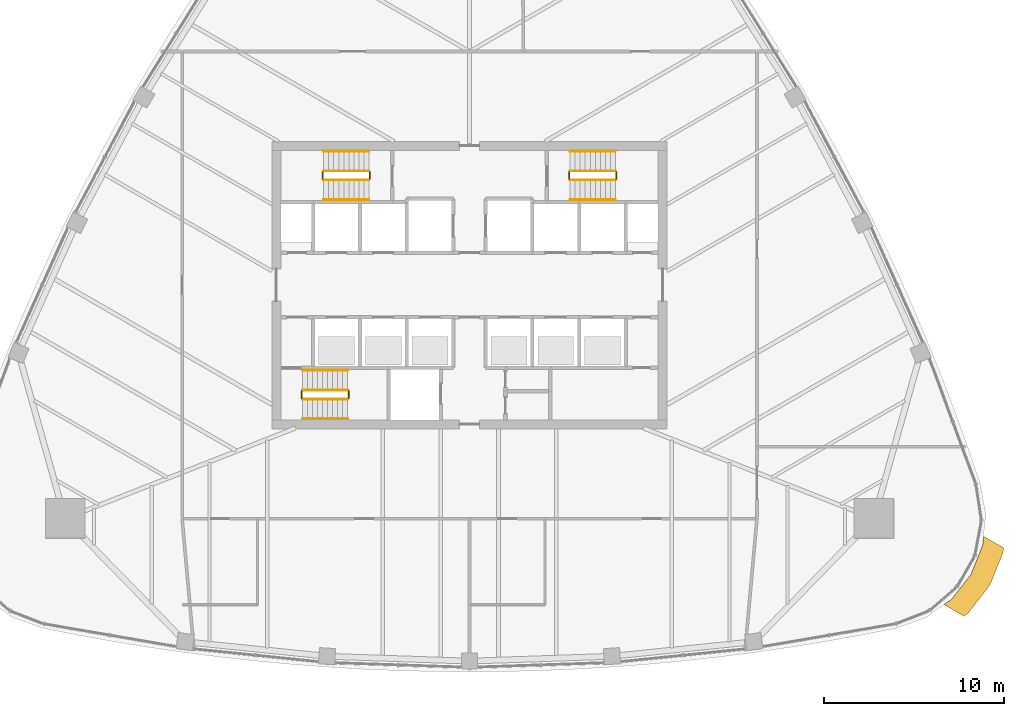
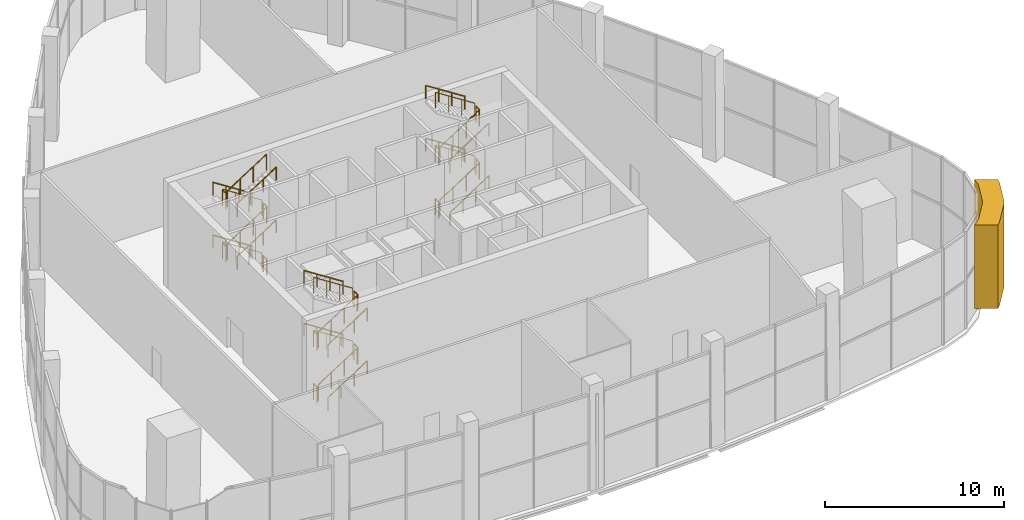
# One storey, part 13 of 15: 36 railings, 1 covering.
"""IFC4 building model written with IfcOpenShell, lengths in metres."""

from ifc_helpers import new_model, si_unit, direction, frame, origin, origin_2d, place, context, subcontext, project, spatial, polyline, circle, outline, extrude, material, layer, layer_set, type_object, element, save


model = new_model("IFC4")

# Units and contexts
model_context = context("Model", 3, precision=1e-05, world=origin(), true_north=direction((0.0, 1.0)))
body_context = subcontext(model_context, "Body", "Model", "MODEL_VIEW")
ifc_project = project(units=[si_unit("LENGTHUNIT", "METRE"), si_unit("AREAUNIT", "SQUARE_METRE"), si_unit("VOLUMEUNIT", "CUBIC_METRE"), si_unit("PLANEANGLEUNIT", "RADIAN"), si_unit("MASSUNIT", "GRAM", prefix="KILO")], contexts=[model_context])

# Site, building, storey
site_placement = place(None, origin())
site = spatial("IfcSite", under=ifc_project, at=site_placement, CompositionType="ELEMENT")
building_placement = place(site_placement, origin())
building = spatial("IfcBuilding", under=site, at=building_placement, Name="Sierra Prisma Convention Tower", CompositionType="ELEMENT")
storey_placement = place(building_placement, frame((0.0, 0.0, 219.800048828125)))
storey = spatial("IfcBuildingStorey", under=building, at=storey_placement, Name="L49", CompositionType="ELEMENT", Elevation=219.800048828125)

# Covering
ifc_material_1 = material(Name="Aluminium composite bronze anodised", Category="aluminium")
ifc_layer = layer(ifc_material_1, 1.199951171875)
ifc_layer_set = layer_set([ifc_layer], Name="Bronze corner pier")
covering_type = type_object("IfcCoveringType", Name="Bronze corner pier", PredefinedType="CLADDING", material=ifc_layer_set)
covering_placement = place(storey_placement, frame((0.0, 0.0, 0.89990234375)))
element("IfcCovering", 1, at=covering_placement, inside=storey, type_object=covering_type, Name="Corner pier SE L49.1", PredefinedType="CLADDING", context=body_context, shape_type="SweptSolid", body=[
    extrude(outline(polyline([(29.02294921875, -16.562255859375), (28.85498046875, -16.853515625), (27.779541015625, -18.227294921875), (27.55126953125, -18.447021484375), (26.414794921875, -17.791015625), (26.834716796875, -17.487548828125), (27.909912109375, -16.11376953125), (28.56201171875, -14.49560546875), (28.61474609375, -13.98046875), (29.751220703125, -14.636474609375), (29.675048828125, -14.944091796875), (29.02294921875, -16.562255859375)])), origin(), (0.0, 0.0, 1.0), 5.699951171875),
])

# Railings
ifc_material_2 = material(Name="Stainless steel", Category="steel")
railing_type_1 = type_object("IfcRailingType", Name="Exit stair handrail", PredefinedType="HANDRAIL", material=ifc_material_2)
railing_1_placement = place(storey_placement, frame((-9.300048828125, -7.449951171875, 0.179931640625)))
element("IfcRailing", 2, at=railing_1_placement, inside=storey, type_object=railing_type_1, Name="L49 S1 stair handrail 1", PredefinedType="HANDRAIL", context=body_context, shape_type="SweptSolid", body=[
    extrude(circle(Radius=0.02392578125, at=origin_2d()), frame((0.0, 0.0, 0.8759765625), z_axis=(0.841162588446, 0.0, 0.540782303519), x_axis=(0.0, 1.0, 0.0)), (0.0, 0.0, 1.0), 2.995849609375),
    extrude(circle(Radius=0.02099609375, at=origin_2d()), origin(), (0.0, 0.0, 1.0), 0.851806640625),
    extrude(circle(Radius=0.02099609375, at=origin_2d()), frame((0.840087890625, 0.0, 0.5400390625)), (0.0, 0.0, 1.0), 0.851806640625),
    extrude(circle(Radius=0.02099609375, at=origin_2d()), frame((1.679931640625, 0.0, 1.080078125)), (0.0, 0.0, 1.0), 0.851806640625),
    extrude(circle(Radius=0.02099609375, at=origin_2d()), frame((2.52001953125, 0.0, 1.6201171875)), (0.0, 0.0, 1.0), 0.851806640625),
])
railing_2_placement = place(storey_placement, frame((-6.780029296875, -4.75, 1.97998046875)))
element("IfcRailing", 3, at=railing_2_placement, inside=storey, type_object=railing_type_1, Name="L49 S1 stair handrail 2", PredefinedType="HANDRAIL", context=body_context, shape_type="SweptSolid", body=[
    extrude(circle(Radius=0.02392578125, at=origin_2d()), frame((0.0, 0.0, 0.8759765625), z_axis=(-0.841199657755, 0.0, 0.540724639528), x_axis=(0.0, -1.0, 0.0)), (0.0, 0.0, 1.0), 2.995849609375),
    extrude(circle(Radius=0.02099609375, at=origin_2d()), origin(), (0.0, 0.0, 1.0), 0.851806640625),
    extrude(circle(Radius=0.02099609375, at=origin_2d()), frame((-0.840087890625, 0.0, 0.5400390625)), (0.0, 0.0, 1.0), 0.851806640625),
    extrude(circle(Radius=0.02099609375, at=origin_2d()), frame((-1.679931640625, 0.0, 1.079833984375)), (0.0, 0.0, 1.0), 0.851806640625),
    extrude(circle(Radius=0.02099609375, at=origin_2d()), frame((-2.52001953125, 0.0, 1.619873046875)), (0.0, 0.0, 1.0), 0.851806640625),
])
railing_3_placement = place(storey_placement, frame((-9.300048828125, -7.449951171875, 3.780029296875)))
element("IfcRailing", 4, at=railing_3_placement, inside=storey, type_object=railing_type_1, Name="L49 S1 stair handrail 3", PredefinedType="HANDRAIL", context=body_context, shape_type="SweptSolid", body=[
    extrude(circle(Radius=0.02392578125, at=origin_2d()), frame((0.0, 0.0, 0.8759765625), z_axis=(0.841199657755, 0.0, 0.540724639528), x_axis=(0.0, 1.0, 0.0)), (0.0, 0.0, 1.0), 2.995849609375),
    extrude(circle(Radius=0.02099609375, at=origin_2d()), origin(), (0.0, 0.0, 1.0), 0.851806640625),
    extrude(circle(Radius=0.02099609375, at=origin_2d()), frame((0.840087890625, 0.0, 0.5400390625)), (0.0, 0.0, 1.0), 0.851806640625),
    extrude(circle(Radius=0.02099609375, at=origin_2d()), frame((1.679931640625, 0.0, 1.079833984375)), (0.0, 0.0, 1.0), 0.851806640625),
    extrude(circle(Radius=0.02099609375, at=origin_2d()), frame((2.52001953125, 0.0, 1.619873046875)), (0.0, 0.0, 1.0), 0.851806640625),
])
for number, where, name in (
    (5, (-6.780029296875, -4.75, 5.579833984375), "L49 S1 stair handrail 4"),
    (6, (-5.60009765625, 7.449951171875, 0.179931640625), "L49 S3 stair handrail 1"),
):
    element("IfcRailing", number, at=place(storey_placement, frame(where)), inside=storey, type_object=railing_type_1, Name=name, PredefinedType="HANDRAIL", context=body_context, shape_type="SweptSolid", body=[
        extrude(circle(Radius=0.02392578125, at=origin_2d()), frame((0.0, 0.0, 0.8759765625), z_axis=(-0.841162588446, 0.0, 0.540782303519), x_axis=(0.0, -1.0, 0.0)), (0.0, 0.0, 1.0), 2.995849609375),
        extrude(circle(Radius=0.02099609375, at=origin_2d()), origin(), (0.0, 0.0, 1.0), 0.851806640625),
        extrude(circle(Radius=0.02099609375, at=origin_2d()), frame((-0.840087890625, 0.0, 0.5400390625)), (0.0, 0.0, 1.0), 0.851806640625),
        extrude(circle(Radius=0.02099609375, at=origin_2d()), frame((-1.679931640625, 0.0, 1.080078125)), (0.0, 0.0, 1.0), 0.851806640625),
        extrude(circle(Radius=0.02099609375, at=origin_2d()), frame((-2.52001953125, 0.0, 1.6201171875)), (0.0, 0.0, 1.0), 0.851806640625),
    ])
railing_4_placement = place(storey_placement, frame((-8.1201171875, 4.75, 1.97998046875)))
element("IfcRailing", 7, at=railing_4_placement, inside=storey, type_object=railing_type_1, Name="L49 S3 stair handrail 2", PredefinedType="HANDRAIL", context=body_context, shape_type="SweptSolid", body=[
    extrude(circle(Radius=0.02392578125, at=origin_2d()), frame((0.0, 0.0, 0.8759765625), z_axis=(0.841199657755, 0.0, 0.540724639528), x_axis=(0.0, 1.0, 0.0)), (0.0, 0.0, 1.0), 2.995849609375),
    extrude(circle(Radius=0.02099609375, at=origin_2d()), origin(), (0.0, 0.0, 1.0), 0.851806640625),
    extrude(circle(Radius=0.02099609375, at=origin_2d()), frame((0.840087890625, 0.0, 0.5400390625)), (0.0, 0.0, 1.0), 0.851806640625),
    extrude(circle(Radius=0.02099609375, at=origin_2d()), frame((1.679931640625, 0.0, 1.079833984375)), (0.0, 0.0, 1.0), 0.851806640625),
    extrude(circle(Radius=0.02099609375, at=origin_2d()), frame((2.52001953125, 0.0, 1.619873046875)), (0.0, 0.0, 1.0), 0.851806640625),
])
railing_5_placement = place(storey_placement, frame((-5.60009765625, 7.449951171875, 3.780029296875)))
element("IfcRailing", 8, at=railing_5_placement, inside=storey, type_object=railing_type_1, Name="L49 S3 stair handrail 3", PredefinedType="HANDRAIL", context=body_context, shape_type="SweptSolid", body=[
    extrude(circle(Radius=0.02392578125, at=origin_2d()), frame((0.0, 0.0, 0.8759765625), z_axis=(-0.841199657755, 0.0, 0.540724639528), x_axis=(0.0, -1.0, 0.0)), (0.0, 0.0, 1.0), 2.995849609375),
    extrude(circle(Radius=0.02099609375, at=origin_2d()), origin(), (0.0, 0.0, 1.0), 0.851806640625),
    extrude(circle(Radius=0.02099609375, at=origin_2d()), frame((-0.840087890625, 0.0, 0.5400390625)), (0.0, 0.0, 1.0), 0.851806640625),
    extrude(circle(Radius=0.02099609375, at=origin_2d()), frame((-1.679931640625, 0.0, 1.079833984375)), (0.0, 0.0, 1.0), 0.851806640625),
    extrude(circle(Radius=0.02099609375, at=origin_2d()), frame((-2.52001953125, 0.0, 1.619873046875)), (0.0, 0.0, 1.0), 0.851806640625),
])
for number, where, name in (
    (9, (-8.1201171875, 4.75, 5.579833984375), "L49 S3 stair handrail 4"),
    (10, (5.60009765625, 4.75, 0.179931640625), "L49 S4 stair handrail 1"),
):
    element("IfcRailing", number, at=place(storey_placement, frame(where)), inside=storey, type_object=railing_type_1, Name=name, PredefinedType="HANDRAIL", context=body_context, shape_type="SweptSolid", body=[
        extrude(circle(Radius=0.02392578125, at=origin_2d()), frame((0.0, 0.0, 0.8759765625), z_axis=(0.841162588446, 0.0, 0.540782303519), x_axis=(0.0, 1.0, 0.0)), (0.0, 0.0, 1.0), 2.995849609375),
        extrude(circle(Radius=0.02099609375, at=origin_2d()), origin(), (0.0, 0.0, 1.0), 0.851806640625),
        extrude(circle(Radius=0.02099609375, at=origin_2d()), frame((0.840087890625, 0.0, 0.5400390625)), (0.0, 0.0, 1.0), 0.851806640625),
        extrude(circle(Radius=0.02099609375, at=origin_2d()), frame((1.679931640625, 0.0, 1.080078125)), (0.0, 0.0, 1.0), 0.851806640625),
        extrude(circle(Radius=0.02099609375, at=origin_2d()), frame((2.52001953125, 0.0, 1.6201171875)), (0.0, 0.0, 1.0), 0.851806640625),
    ])
railing_6_placement = place(storey_placement, frame((8.1201171875, 7.449951171875, 1.97998046875)))
element("IfcRailing", 11, at=railing_6_placement, inside=storey, type_object=railing_type_1, Name="L49 S4 stair handrail 2", PredefinedType="HANDRAIL", context=body_context, shape_type="SweptSolid", body=[
    extrude(circle(Radius=0.02392578125, at=origin_2d()), frame((0.0, 0.0, 0.8759765625), z_axis=(-0.841199657755, 0.0, 0.540724639528), x_axis=(0.0, -1.0, 0.0)), (0.0, 0.0, 1.0), 2.995849609375),
    extrude(circle(Radius=0.02099609375, at=origin_2d()), origin(), (0.0, 0.0, 1.0), 0.851806640625),
    extrude(circle(Radius=0.02099609375, at=origin_2d()), frame((-0.840087890625, 0.0, 0.5400390625)), (0.0, 0.0, 1.0), 0.851806640625),
    extrude(circle(Radius=0.02099609375, at=origin_2d()), frame((-1.679931640625, 0.0, 1.079833984375)), (0.0, 0.0, 1.0), 0.851806640625),
    extrude(circle(Radius=0.02099609375, at=origin_2d()), frame((-2.52001953125, 0.0, 1.619873046875)), (0.0, 0.0, 1.0), 0.851806640625),
])
railing_7_placement = place(storey_placement, frame((5.60009765625, 4.75, 3.780029296875)))
element("IfcRailing", 12, at=railing_7_placement, inside=storey, type_object=railing_type_1, Name="L49 S4 stair handrail 3", PredefinedType="HANDRAIL", context=body_context, shape_type="SweptSolid", body=[
    extrude(circle(Radius=0.02392578125, at=origin_2d()), frame((0.0, 0.0, 0.8759765625), z_axis=(0.841199657755, 0.0, 0.540724639528), x_axis=(0.0, 1.0, 0.0)), (0.0, 0.0, 1.0), 2.995849609375),
    extrude(circle(Radius=0.02099609375, at=origin_2d()), origin(), (0.0, 0.0, 1.0), 0.851806640625),
    extrude(circle(Radius=0.02099609375, at=origin_2d()), frame((0.840087890625, 0.0, 0.5400390625)), (0.0, 0.0, 1.0), 0.851806640625),
    extrude(circle(Radius=0.02099609375, at=origin_2d()), frame((1.679931640625, 0.0, 1.079833984375)), (0.0, 0.0, 1.0), 0.851806640625),
    extrude(circle(Radius=0.02099609375, at=origin_2d()), frame((2.52001953125, 0.0, 1.619873046875)), (0.0, 0.0, 1.0), 0.851806640625),
])
railing_8_placement = place(storey_placement, frame((8.1201171875, 7.449951171875, 5.579833984375)))
element("IfcRailing", 13, at=railing_8_placement, inside=storey, type_object=railing_type_1, Name="L49 S4 stair handrail 4", PredefinedType="HANDRAIL", context=body_context, shape_type="SweptSolid", body=[
    extrude(circle(Radius=0.02392578125, at=origin_2d()), frame((0.0, 0.0, 0.8759765625), z_axis=(-0.841162588446, 0.0, 0.540782303519), x_axis=(0.0, -1.0, 0.0)), (0.0, 0.0, 1.0), 2.995849609375),
    extrude(circle(Radius=0.02099609375, at=origin_2d()), origin(), (0.0, 0.0, 1.0), 0.851806640625),
    extrude(circle(Radius=0.02099609375, at=origin_2d()), frame((-0.840087890625, 0.0, 0.5400390625)), (0.0, 0.0, 1.0), 0.851806640625),
    extrude(circle(Radius=0.02099609375, at=origin_2d()), frame((-1.679931640625, 0.0, 1.080078125)), (0.0, 0.0, 1.0), 0.851806640625),
    extrude(circle(Radius=0.02099609375, at=origin_2d()), frame((-2.52001953125, 0.0, 1.6201171875)), (0.0, 0.0, 1.0), 0.851806640625),
])
ifc_material_3 = material(Name="Stainless steel", Category="steel")
railing_type_2 = type_object("IfcRailingType", Name="Stair guard 1100", PredefinedType="GUARDRAIL", material=ifc_material_3)
railing_9_placement = place(storey_placement, frame((-9.300048828125, -6.35009765625, 0.179931640625)))
element("IfcRailing", 14, at=railing_9_placement, inside=storey, type_object=railing_type_2, Name="L49 S1 stair guard 1", PredefinedType="GUARDRAIL", context=body_context, shape_type="SweptSolid", body=[
    extrude(circle(Radius=0.02392578125, at=origin_2d()), frame((0.0, 0.0, 1.076171875), z_axis=(0.841162588446, 0.0, 0.540782303519), x_axis=(0.0, 1.0, 0.0)), (0.0, 0.0, 1.0), 2.995849609375),
    extrude(circle(Radius=0.02099609375, at=origin_2d()), origin(), (0.0, 0.0, 1.0), 1.052001953125),
    extrude(circle(Radius=0.02099609375, at=origin_2d()), frame((0.840087890625, 0.0, 0.5400390625)), (0.0, 0.0, 1.0), 1.052001953125),
    extrude(circle(Radius=0.02099609375, at=origin_2d()), frame((1.679931640625, 0.0, 1.080078125)), (0.0, 0.0, 1.0), 1.052001953125),
    extrude(circle(Radius=0.02099609375, at=origin_2d()), frame((2.52001953125, 0.0, 1.6201171875)), (0.0, 0.0, 1.0), 1.052001953125),
])
railing_10_placement = place(storey_placement, frame((-6.72998046875, -6.300048828125, 1.800048828125)))
element("IfcRailing", 15, at=railing_10_placement, inside=storey, type_object=railing_type_2, Name="L49 S1 stair guard 2", PredefinedType="GUARDRAIL", context=body_context, shape_type="SweptSolid", body=[
    extrude(circle(Radius=0.02392578125, at=origin_2d()), frame((0.0, 0.0, 1.076171875), z_axis=(0.0, 1.0, 0.0), x_axis=(-1.0, 0.0, 0.0)), (0.0, 0.0, 1.0), 0.400146484375),
    extrude(circle(Radius=0.02099609375, at=origin_2d()), origin(), (0.0, 0.0, 1.0), 1.052001953125),
    extrude(circle(Radius=0.02099609375, at=origin_2d()), frame((0.0, 0.400146484375, 0.0)), (0.0, 0.0, 1.0), 1.052001953125),
])
railing_11_placement = place(storey_placement, frame((-6.780029296875, -5.85009765625, 1.97998046875)))
element("IfcRailing", 16, at=railing_11_placement, inside=storey, type_object=railing_type_2, Name="L49 S1 stair guard 3", PredefinedType="GUARDRAIL", context=body_context, shape_type="SweptSolid", body=[
    extrude(circle(Radius=0.02392578125, at=origin_2d()), frame((0.0, 0.0, 1.076171875), z_axis=(-0.841199657755, 0.0, 0.540724639528), x_axis=(0.0, -1.0, 0.0)), (0.0, 0.0, 1.0), 2.995849609375),
    extrude(circle(Radius=0.02099609375, at=origin_2d()), origin(), (0.0, 0.0, 1.0), 1.052001953125),
    extrude(circle(Radius=0.02099609375, at=origin_2d()), frame((-0.840087890625, 0.0, 0.5400390625)), (0.0, 0.0, 1.0), 1.052001953125),
    extrude(circle(Radius=0.02099609375, at=origin_2d()), frame((-1.679931640625, 0.0, 1.079833984375)), (0.0, 0.0, 1.0), 1.052001953125),
    extrude(circle(Radius=0.02099609375, at=origin_2d()), frame((-2.52001953125, 0.0, 1.619873046875)), (0.0, 0.0, 1.0), 1.052001953125),
])
railing_12_placement = place(storey_placement, frame((-9.35009765625, -6.300048828125, 3.599853515625)))
element("IfcRailing", 17, at=railing_12_placement, inside=storey, type_object=railing_type_2, Name="L49 S1 stair guard 4", PredefinedType="GUARDRAIL", context=body_context, shape_type="SweptSolid", body=[
    extrude(circle(Radius=0.02392578125, at=origin_2d()), frame((0.0, 0.0, 1.076171875), z_axis=(0.0, 1.0, 0.0), x_axis=(-1.0, 0.0, 0.0)), (0.0, 0.0, 1.0), 0.400146484375),
    extrude(circle(Radius=0.02099609375, at=origin_2d()), origin(), (0.0, 0.0, 1.0), 1.052001953125),
    extrude(circle(Radius=0.02099609375, at=origin_2d()), frame((0.0, 0.400146484375, 0.0)), (0.0, 0.0, 1.0), 1.052001953125),
])
railing_13_placement = place(storey_placement, frame((-9.300048828125, -6.35009765625, 3.780029296875)))
element("IfcRailing", 18, at=railing_13_placement, inside=storey, type_object=railing_type_2, Name="L49 S1 stair guard 5", PredefinedType="GUARDRAIL", context=body_context, shape_type="SweptSolid", body=[
    extrude(circle(Radius=0.02392578125, at=origin_2d()), frame((0.0, 0.0, 1.076171875), z_axis=(0.841199657755, 0.0, 0.540724639528), x_axis=(0.0, 1.0, 0.0)), (0.0, 0.0, 1.0), 2.995849609375),
    extrude(circle(Radius=0.02099609375, at=origin_2d()), origin(), (0.0, 0.0, 1.0), 1.052001953125),
    extrude(circle(Radius=0.02099609375, at=origin_2d()), frame((0.840087890625, 0.0, 0.5400390625)), (0.0, 0.0, 1.0), 1.052001953125),
    extrude(circle(Radius=0.02099609375, at=origin_2d()), frame((1.679931640625, 0.0, 1.079833984375)), (0.0, 0.0, 1.0), 1.052001953125),
    extrude(circle(Radius=0.02099609375, at=origin_2d()), frame((2.52001953125, 0.0, 1.619873046875)), (0.0, 0.0, 1.0), 1.052001953125),
])
railing_14_placement = place(storey_placement, frame((-6.72998046875, -6.300048828125, 5.39990234375)))
element("IfcRailing", 19, at=railing_14_placement, inside=storey, type_object=railing_type_2, Name="L49 S1 stair guard 6", PredefinedType="GUARDRAIL", context=body_context, shape_type="SweptSolid", body=[
    extrude(circle(Radius=0.02392578125, at=origin_2d()), frame((0.0, 0.0, 1.076171875), z_axis=(0.0, 1.0, 0.0), x_axis=(-1.0, 0.0, 0.0)), (0.0, 0.0, 1.0), 0.400146484375),
    extrude(circle(Radius=0.02099609375, at=origin_2d()), origin(), (0.0, 0.0, 1.0), 1.052001953125),
    extrude(circle(Radius=0.02099609375, at=origin_2d()), frame((0.0, 0.400146484375, 0.0)), (0.0, 0.0, 1.0), 1.052001953125),
])
railing_15_placement = place(storey_placement, frame((-6.780029296875, -5.85009765625, 5.579833984375)))
element("IfcRailing", 20, at=railing_15_placement, inside=storey, type_object=railing_type_2, Name="L49 S1 stair guard 7", PredefinedType="GUARDRAIL", context=body_context, shape_type="SweptSolid", body=[
    extrude(circle(Radius=0.02392578125, at=origin_2d()), frame((0.0, 0.0, 1.076171875), z_axis=(-0.841162588446, 0.0, 0.540782303519), x_axis=(0.0, -1.0, 0.0)), (0.0, 0.0, 1.0), 2.995849609375),
    extrude(circle(Radius=0.02099609375, at=origin_2d()), origin(), (0.0, 0.0, 1.0), 1.052001953125),
    extrude(circle(Radius=0.02099609375, at=origin_2d()), frame((-0.840087890625, 0.0, 0.5400390625)), (0.0, 0.0, 1.0), 1.052001953125),
    extrude(circle(Radius=0.02099609375, at=origin_2d()), frame((-1.679931640625, 0.0, 1.080078125)), (0.0, 0.0, 1.0), 1.052001953125),
    extrude(circle(Radius=0.02099609375, at=origin_2d()), frame((-2.52001953125, 0.0, 1.6201171875)), (0.0, 0.0, 1.0), 1.052001953125),
])
railing_16_placement = place(storey_placement, frame((-9.35009765625, -6.300048828125, 0.0)))
element("IfcRailing", 21, at=railing_16_placement, inside=storey, type_object=railing_type_2, Name="L49 S1 stair guard 8", PredefinedType="GUARDRAIL", context=body_context, shape_type="SweptSolid", body=[
    extrude(circle(Radius=0.02392578125, at=origin_2d()), frame((0.0, 0.0, 1.076171875), z_axis=(0.0, 1.0, 0.0), x_axis=(-1.0, 0.0, 0.0)), (0.0, 0.0, 1.0), 0.400146484375),
    extrude(circle(Radius=0.02099609375, at=origin_2d()), origin(), (0.0, 0.0, 1.0), 1.052001953125),
    extrude(circle(Radius=0.02099609375, at=origin_2d()), frame((0.0, 0.400146484375, 0.0)), (0.0, 0.0, 1.0), 1.052001953125),
])
railing_17_placement = place(storey_placement, frame((-5.60009765625, 6.35009765625, 0.179931640625)))
element("IfcRailing", 22, at=railing_17_placement, inside=storey, type_object=railing_type_2, Name="L49 S3 stair guard 1", PredefinedType="GUARDRAIL", context=body_context, shape_type="SweptSolid", body=[
    extrude(circle(Radius=0.02392578125, at=origin_2d()), frame((0.0, 0.0, 1.076171875), z_axis=(-0.841162588446, 0.0, 0.540782303519), x_axis=(0.0, -1.0, 0.0)), (0.0, 0.0, 1.0), 2.995849609375),
    extrude(circle(Radius=0.02099609375, at=origin_2d()), origin(), (0.0, 0.0, 1.0), 1.052001953125),
    extrude(circle(Radius=0.02099609375, at=origin_2d()), frame((-0.840087890625, 0.0, 0.5400390625)), (0.0, 0.0, 1.0), 1.052001953125),
    extrude(circle(Radius=0.02099609375, at=origin_2d()), frame((-1.679931640625, 0.0, 1.080078125)), (0.0, 0.0, 1.0), 1.052001953125),
    extrude(circle(Radius=0.02099609375, at=origin_2d()), frame((-2.52001953125, 0.0, 1.6201171875)), (0.0, 0.0, 1.0), 1.052001953125),
])
railing_18_placement = place(storey_placement, frame((-8.169921875, 6.300048828125, 1.800048828125)))
element("IfcRailing", 23, at=railing_18_placement, inside=storey, type_object=railing_type_2, Name="L49 S3 stair guard 2", PredefinedType="GUARDRAIL", context=body_context, shape_type="SweptSolid", body=[
    extrude(circle(Radius=0.02392578125, at=origin_2d()), frame((0.0, 0.0, 1.076171875), z_axis=(0.0, -1.0, 0.0), x_axis=(1.0, 0.0, 0.0)), (0.0, 0.0, 1.0), 0.400146484375),
    extrude(circle(Radius=0.02099609375, at=origin_2d()), origin(), (0.0, 0.0, 1.0), 1.052001953125),
    extrude(circle(Radius=0.02099609375, at=origin_2d()), frame((0.0, -0.400146484375, 0.0)), (0.0, 0.0, 1.0), 1.052001953125),
])
railing_19_placement = place(storey_placement, frame((-8.1201171875, 5.85009765625, 1.97998046875)))
element("IfcRailing", 24, at=railing_19_placement, inside=storey, type_object=railing_type_2, Name="L49 S3 stair guard 3", PredefinedType="GUARDRAIL", context=body_context, shape_type="SweptSolid", body=[
    extrude(circle(Radius=0.02392578125, at=origin_2d()), frame((0.0, 0.0, 1.076171875), z_axis=(0.841199657755, 0.0, 0.540724639528), x_axis=(0.0, 1.0, 0.0)), (0.0, 0.0, 1.0), 2.995849609375),
    extrude(circle(Radius=0.02099609375, at=origin_2d()), origin(), (0.0, 0.0, 1.0), 1.052001953125),
    extrude(circle(Radius=0.02099609375, at=origin_2d()), frame((0.840087890625, 0.0, 0.5400390625)), (0.0, 0.0, 1.0), 1.052001953125),
    extrude(circle(Radius=0.02099609375, at=origin_2d()), frame((1.679931640625, 0.0, 1.079833984375)), (0.0, 0.0, 1.0), 1.052001953125),
    extrude(circle(Radius=0.02099609375, at=origin_2d()), frame((2.52001953125, 0.0, 1.619873046875)), (0.0, 0.0, 1.0), 1.052001953125),
])
railing_20_placement = place(storey_placement, frame((-5.550048828125, 6.300048828125, 3.599853515625)))
element("IfcRailing", 25, at=railing_20_placement, inside=storey, type_object=railing_type_2, Name="L49 S3 stair guard 4", PredefinedType="GUARDRAIL", context=body_context, shape_type="SweptSolid", body=[
    extrude(circle(Radius=0.02392578125, at=origin_2d()), frame((0.0, 0.0, 1.076171875), z_axis=(0.0, -1.0, 0.0), x_axis=(1.0, 0.0, 0.0)), (0.0, 0.0, 1.0), 0.400146484375),
    extrude(circle(Radius=0.02099609375, at=origin_2d()), origin(), (0.0, 0.0, 1.0), 1.052001953125),
    extrude(circle(Radius=0.02099609375, at=origin_2d()), frame((0.0, -0.400146484375, 0.0)), (0.0, 0.0, 1.0), 1.052001953125),
])
railing_21_placement = place(storey_placement, frame((-5.60009765625, 6.35009765625, 3.780029296875)))
element("IfcRailing", 26, at=railing_21_placement, inside=storey, type_object=railing_type_2, Name="L49 S3 stair guard 5", PredefinedType="GUARDRAIL", context=body_context, shape_type="SweptSolid", body=[
    extrude(circle(Radius=0.02392578125, at=origin_2d()), frame((0.0, 0.0, 1.076171875), z_axis=(-0.841199657755, 0.0, 0.540724639528), x_axis=(0.0, -1.0, 0.0)), (0.0, 0.0, 1.0), 2.995849609375),
    extrude(circle(Radius=0.02099609375, at=origin_2d()), origin(), (0.0, 0.0, 1.0), 1.052001953125),
    extrude(circle(Radius=0.02099609375, at=origin_2d()), frame((-0.840087890625, 0.0, 0.5400390625)), (0.0, 0.0, 1.0), 1.052001953125),
    extrude(circle(Radius=0.02099609375, at=origin_2d()), frame((-1.679931640625, 0.0, 1.079833984375)), (0.0, 0.0, 1.0), 1.052001953125),
    extrude(circle(Radius=0.02099609375, at=origin_2d()), frame((-2.52001953125, 0.0, 1.619873046875)), (0.0, 0.0, 1.0), 1.052001953125),
])
railing_22_placement = place(storey_placement, frame((-8.169921875, 6.300048828125, 5.39990234375)))
element("IfcRailing", 27, at=railing_22_placement, inside=storey, type_object=railing_type_2, Name="L49 S3 stair guard 6", PredefinedType="GUARDRAIL", context=body_context, shape_type="SweptSolid", body=[
    extrude(circle(Radius=0.02392578125, at=origin_2d()), frame((0.0, 0.0, 1.076171875), z_axis=(0.0, -1.0, 0.0), x_axis=(1.0, 0.0, 0.0)), (0.0, 0.0, 1.0), 0.400146484375),
    extrude(circle(Radius=0.02099609375, at=origin_2d()), origin(), (0.0, 0.0, 1.0), 1.052001953125),
    extrude(circle(Radius=0.02099609375, at=origin_2d()), frame((0.0, -0.400146484375, 0.0)), (0.0, 0.0, 1.0), 1.052001953125),
])
railing_23_placement = place(storey_placement, frame((-8.1201171875, 5.85009765625, 5.579833984375)))
element("IfcRailing", 28, at=railing_23_placement, inside=storey, type_object=railing_type_2, Name="L49 S3 stair guard 7", PredefinedType="GUARDRAIL", context=body_context, shape_type="SweptSolid", body=[
    extrude(circle(Radius=0.02392578125, at=origin_2d()), frame((0.0, 0.0, 1.076171875), z_axis=(0.841162588446, 0.0, 0.540782303519), x_axis=(0.0, 1.0, 0.0)), (0.0, 0.0, 1.0), 2.995849609375),
    extrude(circle(Radius=0.02099609375, at=origin_2d()), origin(), (0.0, 0.0, 1.0), 1.052001953125),
    extrude(circle(Radius=0.02099609375, at=origin_2d()), frame((0.840087890625, 0.0, 0.5400390625)), (0.0, 0.0, 1.0), 1.052001953125),
    extrude(circle(Radius=0.02099609375, at=origin_2d()), frame((1.679931640625, 0.0, 1.080078125)), (0.0, 0.0, 1.0), 1.052001953125),
    extrude(circle(Radius=0.02099609375, at=origin_2d()), frame((2.52001953125, 0.0, 1.6201171875)), (0.0, 0.0, 1.0), 1.052001953125),
])
railing_24_placement = place(storey_placement, frame((-5.550048828125, 6.300048828125, 0.0)))
element("IfcRailing", 29, at=railing_24_placement, inside=storey, type_object=railing_type_2, Name="L49 S3 stair guard 8", PredefinedType="GUARDRAIL", context=body_context, shape_type="SweptSolid", body=[
    extrude(circle(Radius=0.02392578125, at=origin_2d()), frame((0.0, 0.0, 1.076171875), z_axis=(0.0, -1.0, 0.0), x_axis=(1.0, 0.0, 0.0)), (0.0, 0.0, 1.0), 0.400146484375),
    extrude(circle(Radius=0.02099609375, at=origin_2d()), origin(), (0.0, 0.0, 1.0), 1.052001953125),
    extrude(circle(Radius=0.02099609375, at=origin_2d()), frame((0.0, -0.400146484375, 0.0)), (0.0, 0.0, 1.0), 1.052001953125),
])
railing_25_placement = place(storey_placement, frame((5.60009765625, 5.85009765625, 0.179931640625)))
element("IfcRailing", 30, at=railing_25_placement, inside=storey, type_object=railing_type_2, Name="L49 S4 stair guard 1", PredefinedType="GUARDRAIL", context=body_context, shape_type="SweptSolid", body=[
    extrude(circle(Radius=0.02392578125, at=origin_2d()), frame((0.0, 0.0, 1.076171875), z_axis=(0.841162588446, 0.0, 0.540782303519), x_axis=(0.0, 1.0, 0.0)), (0.0, 0.0, 1.0), 2.995849609375),
    extrude(circle(Radius=0.02099609375, at=origin_2d()), origin(), (0.0, 0.0, 1.0), 1.052001953125),
    extrude(circle(Radius=0.02099609375, at=origin_2d()), frame((0.840087890625, 0.0, 0.5400390625)), (0.0, 0.0, 1.0), 1.052001953125),
    extrude(circle(Radius=0.02099609375, at=origin_2d()), frame((1.679931640625, 0.0, 1.080078125)), (0.0, 0.0, 1.0), 1.052001953125),
    extrude(circle(Radius=0.02099609375, at=origin_2d()), frame((2.52001953125, 0.0, 1.6201171875)), (0.0, 0.0, 1.0), 1.052001953125),
])
railing_26_placement = place(storey_placement, frame((8.169921875, 5.89990234375, 1.800048828125)))
element("IfcRailing", 31, at=railing_26_placement, inside=storey, type_object=railing_type_2, Name="L49 S4 stair guard 2", PredefinedType="GUARDRAIL", context=body_context, shape_type="SweptSolid", body=[
    extrude(circle(Radius=0.02392578125, at=origin_2d()), frame((0.0, 0.0, 1.076171875), z_axis=(0.0, 1.0, 0.0), x_axis=(-1.0, 0.0, 0.0)), (0.0, 0.0, 1.0), 0.400146484375),
    extrude(circle(Radius=0.02099609375, at=origin_2d()), origin(), (0.0, 0.0, 1.0), 1.052001953125),
    extrude(circle(Radius=0.02099609375, at=origin_2d()), frame((0.0, 0.400146484375, 0.0)), (0.0, 0.0, 1.0), 1.052001953125),
])
railing_27_placement = place(storey_placement, frame((8.1201171875, 6.35009765625, 1.97998046875)))
element("IfcRailing", 32, at=railing_27_placement, inside=storey, type_object=railing_type_2, Name="L49 S4 stair guard 3", PredefinedType="GUARDRAIL", context=body_context, shape_type="SweptSolid", body=[
    extrude(circle(Radius=0.02392578125, at=origin_2d()), frame((0.0, 0.0, 1.076171875), z_axis=(-0.841199657755, 0.0, 0.540724639528), x_axis=(0.0, -1.0, 0.0)), (0.0, 0.0, 1.0), 2.995849609375),
    extrude(circle(Radius=0.02099609375, at=origin_2d()), origin(), (0.0, 0.0, 1.0), 1.052001953125),
    extrude(circle(Radius=0.02099609375, at=origin_2d()), frame((-0.840087890625, 0.0, 0.5400390625)), (0.0, 0.0, 1.0), 1.052001953125),
    extrude(circle(Radius=0.02099609375, at=origin_2d()), frame((-1.679931640625, 0.0, 1.079833984375)), (0.0, 0.0, 1.0), 1.052001953125),
    extrude(circle(Radius=0.02099609375, at=origin_2d()), frame((-2.52001953125, 0.0, 1.619873046875)), (0.0, 0.0, 1.0), 1.052001953125),
])
railing_28_placement = place(storey_placement, frame((5.550048828125, 5.89990234375, 3.599853515625)))
element("IfcRailing", 33, at=railing_28_placement, inside=storey, type_object=railing_type_2, Name="L49 S4 stair guard 4", PredefinedType="GUARDRAIL", context=body_context, shape_type="SweptSolid", body=[
    extrude(circle(Radius=0.02392578125, at=origin_2d()), frame((0.0, 0.0, 1.076171875), z_axis=(0.0, 1.0, 0.0), x_axis=(-1.0, 0.0, 0.0)), (0.0, 0.0, 1.0), 0.400146484375),
    extrude(circle(Radius=0.02099609375, at=origin_2d()), origin(), (0.0, 0.0, 1.0), 1.052001953125),
    extrude(circle(Radius=0.02099609375, at=origin_2d()), frame((0.0, 0.400146484375, 0.0)), (0.0, 0.0, 1.0), 1.052001953125),
])
railing_29_placement = place(storey_placement, frame((5.60009765625, 5.85009765625, 3.780029296875)))
element("IfcRailing", 34, at=railing_29_placement, inside=storey, type_object=railing_type_2, Name="L49 S4 stair guard 5", PredefinedType="GUARDRAIL", context=body_context, shape_type="SweptSolid", body=[
    extrude(circle(Radius=0.02392578125, at=origin_2d()), frame((0.0, 0.0, 1.076171875), z_axis=(0.841199657755, 0.0, 0.540724639528), x_axis=(0.0, 1.0, 0.0)), (0.0, 0.0, 1.0), 2.995849609375),
    extrude(circle(Radius=0.02099609375, at=origin_2d()), origin(), (0.0, 0.0, 1.0), 1.052001953125),
    extrude(circle(Radius=0.02099609375, at=origin_2d()), frame((0.840087890625, 0.0, 0.5400390625)), (0.0, 0.0, 1.0), 1.052001953125),
    extrude(circle(Radius=0.02099609375, at=origin_2d()), frame((1.679931640625, 0.0, 1.079833984375)), (0.0, 0.0, 1.0), 1.052001953125),
    extrude(circle(Radius=0.02099609375, at=origin_2d()), frame((2.52001953125, 0.0, 1.619873046875)), (0.0, 0.0, 1.0), 1.052001953125),
])
railing_30_placement = place(storey_placement, frame((8.169921875, 5.89990234375, 5.39990234375)))
element("IfcRailing", 35, at=railing_30_placement, inside=storey, type_object=railing_type_2, Name="L49 S4 stair guard 6", PredefinedType="GUARDRAIL", context=body_context, shape_type="SweptSolid", body=[
    extrude(circle(Radius=0.02392578125, at=origin_2d()), frame((0.0, 0.0, 1.076171875), z_axis=(0.0, 1.0, 0.0), x_axis=(-1.0, 0.0, 0.0)), (0.0, 0.0, 1.0), 0.400146484375),
    extrude(circle(Radius=0.02099609375, at=origin_2d()), origin(), (0.0, 0.0, 1.0), 1.052001953125),
    extrude(circle(Radius=0.02099609375, at=origin_2d()), frame((0.0, 0.400146484375, 0.0)), (0.0, 0.0, 1.0), 1.052001953125),
])
railing_31_placement = place(storey_placement, frame((8.1201171875, 6.35009765625, 5.579833984375)))
element("IfcRailing", 36, at=railing_31_placement, inside=storey, type_object=railing_type_2, Name="L49 S4 stair guard 7", PredefinedType="GUARDRAIL", context=body_context, shape_type="SweptSolid", body=[
    extrude(circle(Radius=0.02392578125, at=origin_2d()), frame((0.0, 0.0, 1.076171875), z_axis=(-0.841162588446, 0.0, 0.540782303519), x_axis=(0.0, -1.0, 0.0)), (0.0, 0.0, 1.0), 2.995849609375),
    extrude(circle(Radius=0.02099609375, at=origin_2d()), origin(), (0.0, 0.0, 1.0), 1.052001953125),
    extrude(circle(Radius=0.02099609375, at=origin_2d()), frame((-0.840087890625, 0.0, 0.5400390625)), (0.0, 0.0, 1.0), 1.052001953125),
    extrude(circle(Radius=0.02099609375, at=origin_2d()), frame((-1.679931640625, 0.0, 1.080078125)), (0.0, 0.0, 1.0), 1.052001953125),
    extrude(circle(Radius=0.02099609375, at=origin_2d()), frame((-2.52001953125, 0.0, 1.6201171875)), (0.0, 0.0, 1.0), 1.052001953125),
])
railing_32_placement = place(storey_placement, frame((5.550048828125, 5.89990234375, 0.0)))
element("IfcRailing", 37, at=railing_32_placement, inside=storey, type_object=railing_type_2, Name="L49 S4 stair guard 8", PredefinedType="GUARDRAIL", context=body_context, shape_type="SweptSolid", body=[
    extrude(circle(Radius=0.02392578125, at=origin_2d()), frame((0.0, 0.0, 1.076171875), z_axis=(0.0, 1.0, 0.0), x_axis=(-1.0, 0.0, 0.0)), (0.0, 0.0, 1.0), 0.400146484375),
    extrude(circle(Radius=0.02099609375, at=origin_2d()), origin(), (0.0, 0.0, 1.0), 1.052001953125),
    extrude(circle(Radius=0.02099609375, at=origin_2d()), frame((0.0, 0.400146484375, 0.0)), (0.0, 0.0, 1.0), 1.052001953125),
])

save(model, "model.ifc")
